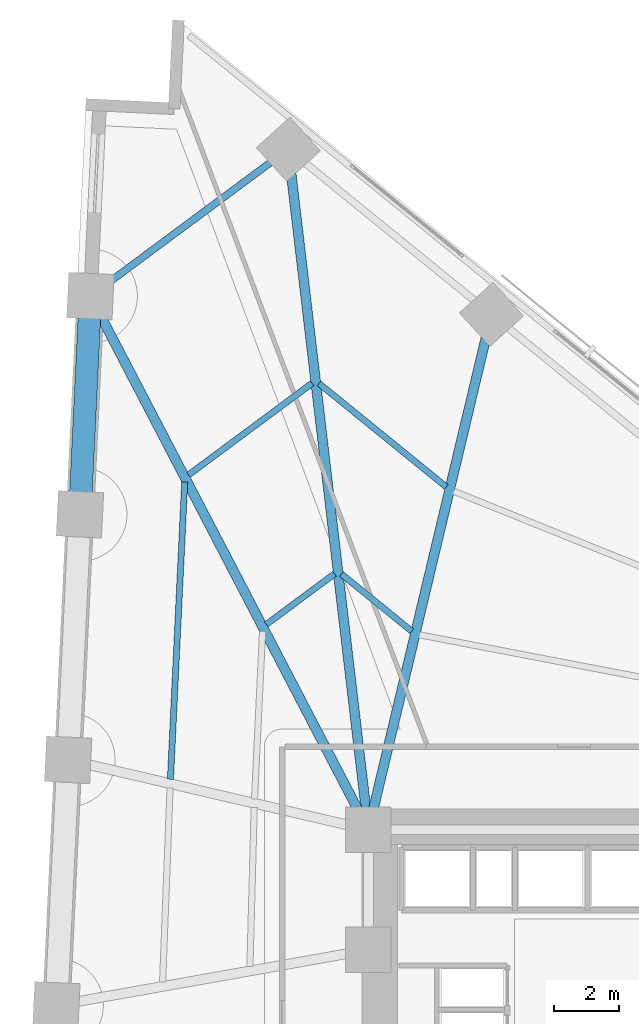
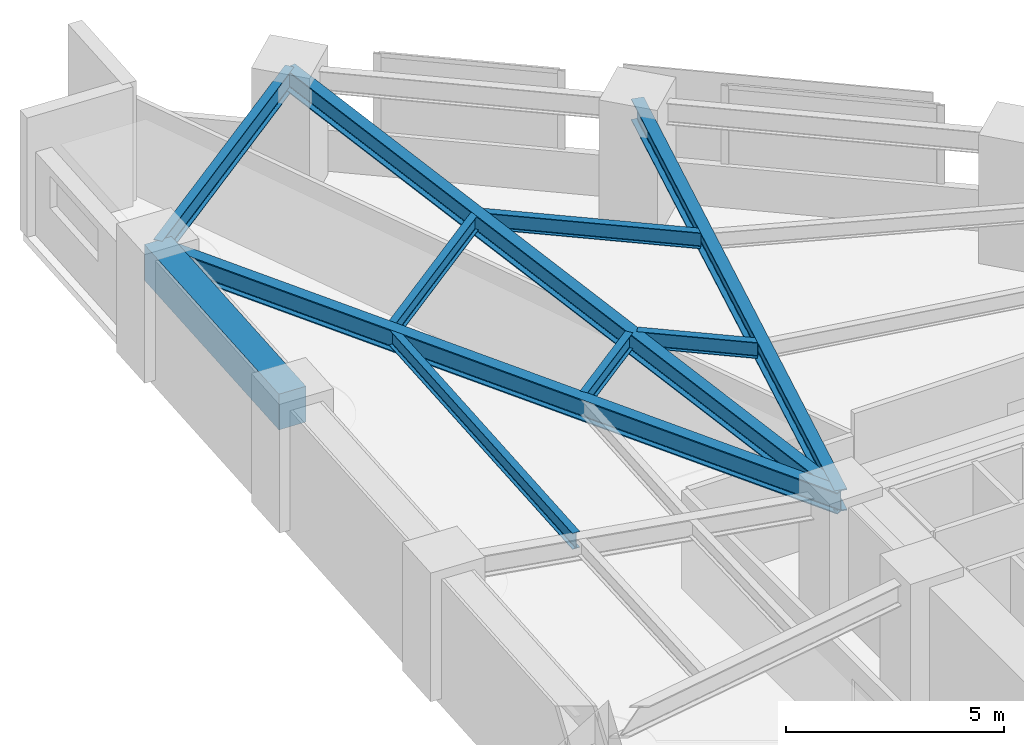
# One storey, part 8 of 18: 10 beams.
"""IFC4 building model written with IfcOpenShell, lengths in metres."""

from ifc_helpers import new_model, si_unit, direction, frame, origin, origin_2d, place, context, subcontext, project, spatial, rectangle, i_section, extrude, material, material_profile, profile_set, type_object, element, save


model = new_model("IFC4")

# Units and contexts
model_context = context("Model", 3, precision=1e-05, world=origin(), true_north=direction((0.0, 1.0)))
body_context = subcontext(model_context, "Body", "Model", "MODEL_VIEW")
ifc_project = project(units=[si_unit("LENGTHUNIT", "METRE"), si_unit("AREAUNIT", "SQUARE_METRE"), si_unit("VOLUMEUNIT", "CUBIC_METRE"), si_unit("PLANEANGLEUNIT", "RADIAN"), si_unit("MASSUNIT", "GRAM", prefix="KILO")], contexts=[model_context])

# Site, building, storey
site_placement = place(None, origin())
site = spatial("IfcSite", under=ifc_project, at=site_placement, CompositionType="ELEMENT")
building_placement = place(site_placement, origin())
building = spatial("IfcBuilding", under=site, at=building_placement, Name="Narakoshi Arena Tower", CompositionType="ELEMENT")
storey_placement = place(building_placement, frame((0.0, 0.0, 44.699951171875)))
storey = spatial("IfcBuildingStorey", under=building, at=storey_placement, Name="L11", CompositionType="ELEMENT", Elevation=44.699951171875)

# Beams
ifc_material_1 = material(Name="Concrete C60/75", Category="concrete")
ifc_material_profile_1 = material_profile(ifc_material_1, rectangle(XDim=0.699951171875, YDim=1.0, at=origin_2d()), Name="RCB700x1000")
ifc_profile_set_1 = profile_set([ifc_material_profile_1], Name="Concrete C60/75")
beam_type_1 = type_object("IfcBeamType", Name="BM-CPL-1000", PredefinedType="BEAM", material=ifc_profile_set_1)
beam_1_placement = place(storey_placement, frame((63.42822265625, 72.95654296875, 2.840087890625), z_axis=(-0.047987034988, -0.998847958637, 0.0), x_axis=(0.998847958637, -0.047987034988, 0.0)))
element("IfcBeam", 1, at=beam_1_placement, inside=storey, type_object=beam_type_1, Name="L11 Perimeter Edge Girder 13", PredefinedType="BEAM", context=body_context, shape_type="SweptSolid", body=[
    extrude(rectangle(XDim=0.699951171875, YDim=1.0, at=origin_2d()), origin(), (0.0, 0.0, 1.0), 6.736083984375),
])
ifc_material_2 = material(Name="Structural steel S355J2", Category="steel")
ifc_material_profile_2 = material_profile(ifc_material_2, i_section(OverallWidth=0.219970703125, OverallDepth=0.60009765625, WebThickness=0.011962890625, FlangeThickness=0.01904296875, FilletRadius=0.02392578125, at=origin_2d()), Name="IPE600")
ifc_profile_set_2 = profile_set([ifc_material_profile_2], Name="Structural steel S355J2")
beam_type_2 = type_object("IfcBeamType", Name="BM-EDGE-600", PredefinedType="BEAM", material=ifc_profile_set_2)
beam_2_placement = place(storey_placement, frame((69.531005859375, 77.483154296875, 3.0400390625), z_axis=(-0.80317737809, -0.595739959482, 0.0), x_axis=(0.595739959482, -0.80317737809, 0.0)))
element("IfcBeam", 2, at=beam_2_placement, inside=storey, type_object=beam_type_2, Name="L11 Perimeter Edge Girder 12", PredefinedType="BEAM", context=body_context, shape_type="SweptSolid", body=[
    extrude(i_section(OverallWidth=0.219970703125, OverallDepth=0.60009765625, WebThickness=0.011962890625, FlangeThickness=0.01904296875, FilletRadius=0.02392578125, at=origin_2d()), origin(), (0.0, 0.0, 1.0), 7.598388671875),
])
ifc_material_profile_3 = material_profile(ifc_material_2, i_section(OverallWidth=0.300048828125, OverallDepth=0.60009765625, WebThickness=0.015380859375, FlangeThickness=0.030029296875, FilletRadius=0.027099609375, at=origin_2d()), Name="HE600B")
ifc_profile_set_3 = profile_set([ifc_material_profile_3], Name="Structural steel S355J2")
beam_type_3 = type_object("IfcBeamType", Name="BM-PRI-600", PredefinedType="BEAM", material=ifc_profile_set_3)
beam_3_placement = place(storey_placement, frame((72.0, 56.5, 3.0400390625), z_axis=(0.23221708245, 0.972663984436, 0.0), x_axis=(-0.972663984436, 0.23221708245, 0.0)))
element("IfcBeam", 3, at=beam_3_placement, inside=storey, type_object=beam_type_3, Name="L11 Radial Primary Floor Girder 11", PredefinedType="BEAM", context=body_context, shape_type="SweptSolid", body=[
    extrude(i_section(OverallWidth=0.300048828125, OverallDepth=0.60009765625, WebThickness=0.015380859375, FlangeThickness=0.030029296875, FilletRadius=0.027099609375, at=origin_2d()), origin(), (0.0, 0.0, 1.0), 16.3388671875),
])
beam_4_placement = place(storey_placement, frame((72.0, 56.5, 3.0400390625), z_axis=(-0.11685934963, 0.993148474501, 0.0), x_axis=(-0.993148474501, -0.11685934963, 0.0)))
element("IfcBeam", 4, at=beam_4_placement, inside=storey, type_object=beam_type_3, Name="L11 Radial Primary Floor Girder 12", PredefinedType="BEAM", context=body_context, shape_type="SweptSolid", body=[
    extrude(i_section(OverallWidth=0.300048828125, OverallDepth=0.60009765625, WebThickness=0.015380859375, FlangeThickness=0.030029296875, FilletRadius=0.027099609375, at=origin_2d()), origin(), (0.0, 0.0, 1.0), 21.1279296875),
])
beam_5_placement = place(storey_placement, frame((72.0, 56.5, 3.0400390625), z_axis=(-0.461962449766, 0.886899484162, 0.0), x_axis=(-0.886899484162, -0.461962449766, 0.0)))
element("IfcBeam", 5, at=beam_5_placement, inside=storey, type_object=beam_type_3, Name="L11 Radial Primary Floor Girder 13", PredefinedType="BEAM", context=body_context, shape_type="SweptSolid", body=[
    extrude(i_section(OverallWidth=0.300048828125, OverallDepth=0.60009765625, WebThickness=0.015380859375, FlangeThickness=0.030029296875, FilletRadius=0.027099609375, at=origin_2d()), origin(), (0.0, 0.0, 1.0), 18.55517578125),
])
ifc_material_profile_4 = material_profile(ifc_material_2, i_section(OverallWidth=0.18994140625, OverallDepth=0.449951171875, WebThickness=0.009521484375, FlangeThickness=0.0146484375, FilletRadius=0.02099609375, at=origin_2d()), Name="IPE450")
ifc_profile_set_4 = profile_set([ifc_material_profile_4], Name="Structural steel S355J2")
beam_type_4 = type_object("IfcBeamType", Name="BM-SEC-450", PredefinedType="JOIST", material=ifc_profile_set_4)
beam_6_placement = place(storey_placement, frame((73.337158203125, 62.624267578125, 3.114990234375), z_axis=(-0.776025888879, 0.630701054216, 0.0), x_axis=(-0.630701054216, -0.776025888879, 0.0)))
element("IfcBeam", 6, at=beam_6_placement, inside=storey, type_object=beam_type_4, Name="L11 Composite Secondary Floor Joist 15", PredefinedType="JOIST", context=body_context, shape_type="SweptSolid", body=[
    extrude(i_section(OverallWidth=0.18994140625, OverallDepth=0.449951171875, WebThickness=0.009521484375, FlangeThickness=0.0146484375, FilletRadius=0.02099609375, at=origin_2d()), origin(), (0.0, 0.0, 1.0), 2.797119140625),
])
beam_7_placement = place(storey_placement, frame((74.3994140625, 67.07421875, 3.114990234375), z_axis=(-0.775998804772, 0.630734377526, 0.0), x_axis=(-0.630734377526, -0.775998804772, 0.0)))
element("IfcBeam", 7, at=beam_7_placement, inside=storey, type_object=beam_type_4, Name="L11 Composite Secondary Floor Joist 16", PredefinedType="JOIST", context=body_context, shape_type="SweptSolid", body=[
    extrude(i_section(OverallWidth=0.18994140625, OverallDepth=0.449951171875, WebThickness=0.009521484375, FlangeThickness=0.0146484375, FilletRadius=0.02099609375, at=origin_2d()), origin(), (0.0, 0.0, 1.0), 5.05712890625),
])
beam_8_placement = place(storey_placement, frame((70.953369140625, 64.393310546875, 3.114990234375), z_axis=(-0.803145542417, -0.595782877981, 0.0), x_axis=(0.595782877981, -0.803145542417, 0.0)))
element("IfcBeam", 8, at=beam_8_placement, inside=storey, type_object=beam_type_4, Name="L11 Composite Secondary Floor Joist 17", PredefinedType="JOIST", context=body_context, shape_type="SweptSolid", body=[
    extrude(i_section(OverallWidth=0.18994140625, OverallDepth=0.449951171875, WebThickness=0.009521484375, FlangeThickness=0.0146484375, FilletRadius=0.02099609375, at=origin_2d()), origin(), (0.0, 0.0, 1.0), 2.6171875),
])
beam_9_placement = place(storey_placement, frame((70.261962890625, 70.2685546875, 3.114990234375), z_axis=(-0.803168713444, -0.595751640992, 0.0), x_axis=(0.595751640992, -0.803168713444, 0.0)))
element("IfcBeam", 9, at=beam_9_placement, inside=storey, type_object=beam_type_4, Name="L11 Composite Secondary Floor Joist 18", PredefinedType="JOIST", context=body_context, shape_type="SweptSolid", body=[
    extrude(i_section(OverallWidth=0.18994140625, OverallDepth=0.449951171875, WebThickness=0.009521484375, FlangeThickness=0.0146484375, FilletRadius=0.02099609375, at=origin_2d()), origin(), (0.0, 0.0, 1.0), 4.74462890625),
])
beam_10_placement = place(storey_placement, frame((66.336181640625, 67.2265625, 3.114990234375), z_axis=(-0.047964546221, -0.998849038797, 0.0), x_axis=(0.998849038797, -0.047964546221, 0.0)))
element("IfcBeam", 10, at=beam_10_placement, inside=storey, type_object=beam_type_4, Name="L11 Composite Secondary Floor Joist 20", PredefinedType="JOIST", context=body_context, shape_type="SweptSolid", body=[
    extrude(i_section(OverallWidth=0.18994140625, OverallDepth=0.449951171875, WebThickness=0.009521484375, FlangeThickness=0.0146484375, FilletRadius=0.02099609375, at=origin_2d()), origin(), (0.0, 0.0, 1.0), 9.17724609375),
])

save(model, "model.ifc")
